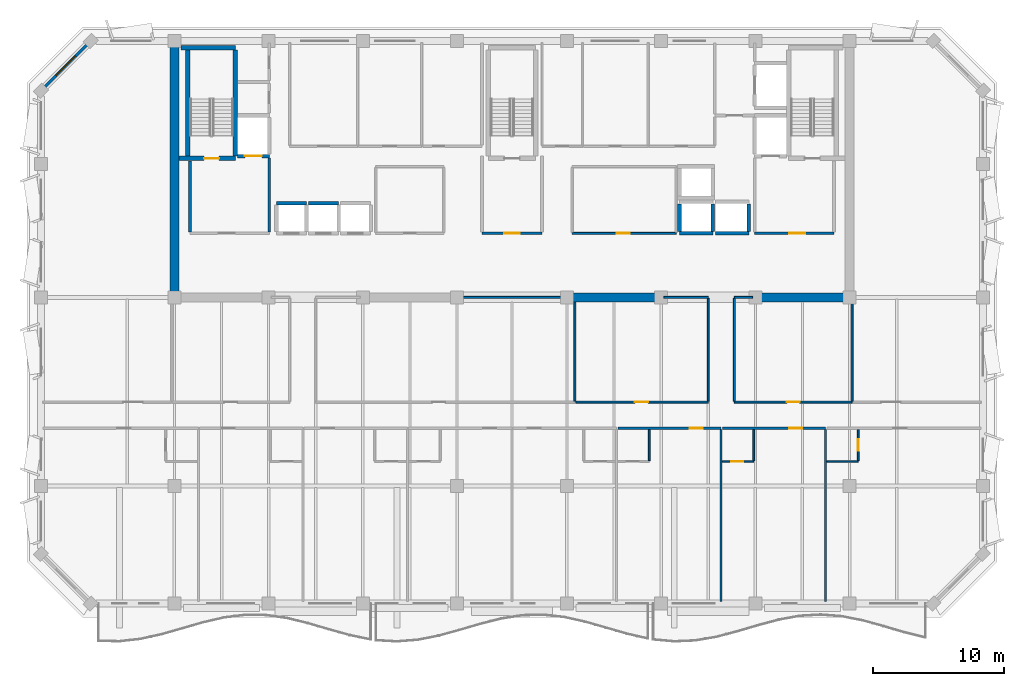
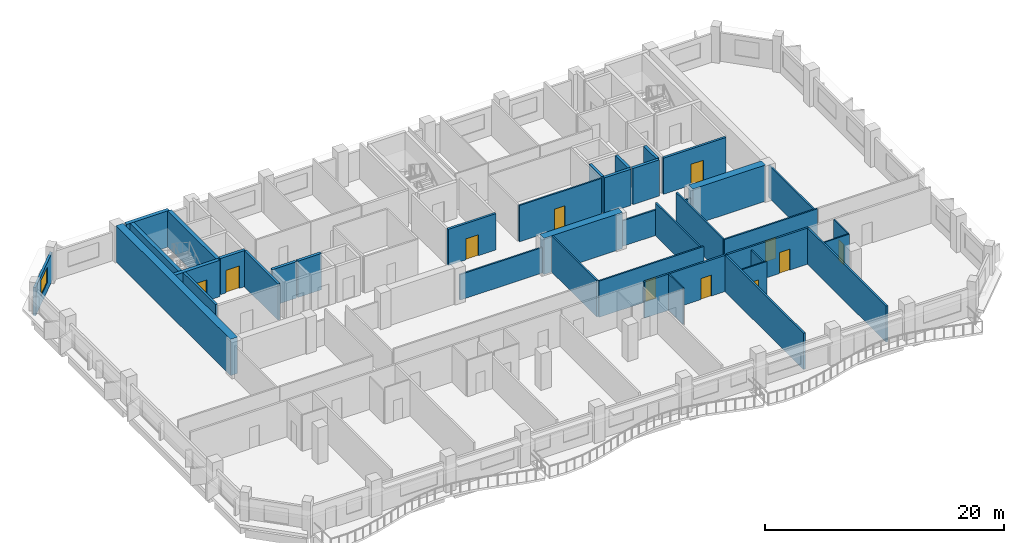
# One storey, part 5 of 11: 39 walls, 11 doors, 1 window, 12 openings.
"""IFC4 building model written with IfcOpenShell, lengths in metres."""

from ifc_helpers import new_model, si_unit, direction, frame, frame_2d, origin, place, context, subcontext, project, spatial, rectangle, extrude, material, layer, layer_set, type_object, element, fill, save


model = new_model("IFC4")

# Units and contexts
model_context = context("Model", 3, precision=1e-05, world=origin(), true_north=direction((0.0, 1.0)))
body_context = subcontext(model_context, "Body", "Model", "MODEL_VIEW")
ifc_project = project(units=[si_unit("LENGTHUNIT", "METRE"), si_unit("AREAUNIT", "SQUARE_METRE"), si_unit("VOLUMEUNIT", "CUBIC_METRE"), si_unit("PLANEANGLEUNIT", "RADIAN"), si_unit("MASSUNIT", "GRAM", prefix="KILO")], contexts=[model_context])

# Site, building, storey
site_placement = place(None, origin())
site = spatial("IfcSite", under=ifc_project, at=site_placement, CompositionType="ELEMENT")
building_placement = place(site_placement, origin())
building = spatial("IfcBuilding", under=site, at=building_placement, Name="Kaelvorn Grand Hotel", CompositionType="ELEMENT")
storey_placement = place(building_placement, frame((0.0, 0.0, 244.949951171875)))
storey = spatial("IfcBuildingStorey", under=building, at=storey_placement, Name="L60", CompositionType="ELEMENT", Elevation=244.949951171875)

# Walls
ifc_material_1 = material(Name="Concrete C50/60", Category="concrete")
ifc_layer_1 = layer(ifc_material_1, 0.699951171875)
ifc_layer_set_1 = layer_set([ifc_layer_1], Name="Concrete C50/60")
wall_type_1 = type_object("IfcWallType", Name="WL-CORE-700-C50", PredefinedType="SHEAR", material=ifc_layer_set_1)
wall_1_placement = place(storey_placement, frame((16.199951171875, 29.39990234375, 0.0), z_axis=(0.0, 0.0, 1.0), x_axis=(0.0, 1.0, 0.0)))
element("IfcWall", 1, at=wall_1_placement, inside=storey, type_object=wall_type_1, Name="L60 Rear-Core West Shear Wall", PredefinedType="SHEAR", context=body_context, shape_type="SweptSolid", body=[
    extrude(rectangle(XDim=19.2001953125, YDim=0.699951171875, at=frame_2d((9.60009765625, 0.0))), origin(), (0.0, 0.0, 1.0), 3.7099609375),
])
wall_2_placement = place(storey_placement, frame((46.0, 29.39990234375, 0.0), z_axis=(0.0, 0.0, 1.0), x_axis=(1.0, 0.0, 0.0)))
element("IfcWall", 2, at=wall_2_placement, inside=storey, type_object=wall_type_1, Name="L60 Rear-Core Coupled Shear Pier S3", PredefinedType="SHEAR", context=body_context, shape_type="SweptSolid", body=[
    extrude(rectangle(XDim=7.60009765625, YDim=0.699951171875, at=frame_2d((3.800048828125, 0.0))), origin(), (0.0, 0.0, 1.0), 3.7099609375),
])
wall_3_placement = place(storey_placement, frame((60.39990234375, 29.39990234375, 0.0), z_axis=(0.0, 0.0, 1.0), x_axis=(1.0, 0.0, 0.0)))
element("IfcWall", 3, at=wall_3_placement, inside=storey, type_object=wall_type_1, Name="L60 Rear-Core Coupled Shear Pier S4", PredefinedType="SHEAR", context=body_context, shape_type="SweptSolid", body=[
    extrude(rectangle(XDim=7.045166015625, YDim=0.699951171875, at=frame_2d((3.5224609375, 0.0))), origin(), (0.0, 0.0, 1.0), 3.7099609375),
])

# Wall, opening, window
ifc_material_2 = material(Name="Concrete C40/50", Category="concrete")
ifc_layer_2 = layer(ifc_material_2, 0.219970703125)
ifc_layer_set_2 = layer_set([ifc_layer_2], Name="Concrete C40/50")
wall_type_2 = type_object("IfcWallType", Name="WL-EXT-220-C40", PredefinedType="SOLIDWALL", material=ifc_layer_set_2)
wall_4_placement = place(storey_placement, frame((9.800048828125, 49.0, 0.0), z_axis=(0.0, 0.0, 1.0), x_axis=(-0.707106781187, -0.707106781187, 0.0)))
wall_4 = element("IfcWall", 4, at=wall_4_placement, inside=storey, type_object=wall_type_2, Name="L60 Exterior Architectural Concrete Wall 06", PredefinedType="SOLIDWALL", context=body_context, shape_type="SweptSolid", body=[
    extrude(rectangle(XDim=5.3740234375, YDim=0.219970703125, at=frame_2d((2.68701171875, 0.0))), origin(), (0.0, 0.0, 1.0), 2.91015625),
])
opening_1_placement = place(wall_4_placement, frame((1.636962890625, 0.0, 0.85009765625)))
opening_1 = element("IfcOpeningElement", 5, at=opening_1_placement, cuts=wall_4, Name="Opening W7", PredefinedType="OPENING", context=body_context, shape_type="SweptSolid", body=[
    extrude(rectangle(XDim=2.10009765625, YDim=1.60009765625, at=frame_2d((1.050048828125, 0.800048828125))), frame((0.0, 0.1201171875, 0.0), z_axis=(0.0, -1.0, 0.0), x_axis=(1.0, 0.0, 0.0)), (0.0, 0.0, 1.0), 0.239990234375),
])
ifc_material_3 = material(Name="Laminated Low-E Glass", Category="glass")
window_type = type_object("IfcWindowType", Name="WIN-CHM-2100x1600", PartitioningType="SINGLE_PANEL", PredefinedType="WINDOW", material=ifc_material_3)
window_placement = place(opening_1_placement, origin())
window = element("IfcWindow", 6, at=window_placement, inside=storey, type_object=window_type, Name="L60 Chamfered 45-Degree Corner Window NW", OverallHeight=1.60009765625, OverallWidth=2.10009765625, PartitioningType="SINGLE_PANEL", PredefinedType="WINDOW", context=body_context, shape_type="SweptSolid", body=[
    extrude(rectangle(XDim=2.10009765625, YDim=1.60009765625, at=frame_2d((1.050048828125, 0.800048828125))), frame((0.0, 0.030029296875, 0.0), z_axis=(0.0, -1.0, 0.0), x_axis=(1.0, 0.0, 0.0)), (0.0, 0.0, 1.0), 0.06005859375),
])
fill(opening_1, window)

# Wall
ifc_material_4 = material(Name="Moisture-Resistant Tile & Stud Board")
ifc_layer_3 = layer(ifc_material_4, 0.125)
ifc_layer_set_3 = layer_set([ifc_layer_3], Name="Moisture-Resistant Tile & Stud Board")
wall_type_3 = type_object("IfcWallType", Name="WL-PART-125-WET", PredefinedType="PARTITIONING", material=ifc_layer_set_3)
wall_5_placement = place(storey_placement, frame((52.487548828125, 16.91748046875, 0.0), z_axis=(0.0, 0.0, 1.0), x_axis=(0.0, 1.0, 0.0)))
element("IfcWall", 7, at=wall_5_placement, inside=storey, type_object=wall_type_3, Name="L60 En-suite Bathroom L60-06 E Partition", PredefinedType="PARTITIONING", context=body_context, shape_type="SweptSolid", body=[
    extrude(rectangle(XDim=2.387451171875, YDim=0.125, at=frame_2d((1.19384765625, 0.0))), origin(), (0.0, 0.0, 1.0), 3.7099609375),
])

# Wall, opening, door
wall_6_placement = place(storey_placement, frame((58.070068359375, 16.85009765625, 0.0), z_axis=(0.0, 0.0, 1.0), x_axis=(1.0, 0.0, 0.0)))
wall_6 = element("IfcWall", 8, at=wall_6_placement, inside=storey, type_object=wall_type_3, Name="L60 En-suite Bathroom L60-07 S Partition", PredefinedType="PARTITIONING", context=body_context, shape_type="SweptSolid", body=[
    extrude(rectangle(XDim=2.405029296875, YDim=0.125, at=frame_2d((1.20263671875, 0.0))), origin(), (0.0, 0.0, 1.0), 3.7099609375),
])
opening_2_placement = place(wall_6_placement, frame((0.705078125, 0.0, 0.0)))
opening_2 = element("IfcOpeningElement", 9, at=opening_2_placement, cuts=wall_6, Name="Opening DI4", PredefinedType="OPENING", context=body_context, shape_type="SweptSolid", body=[
    extrude(rectangle(XDim=0.89990234375, YDim=2.10009765625, at=frame_2d((0.449951171875, 1.050048828125))), frame((0.0, 0.072509765625, 0.0), z_axis=(0.0, -1.0, 0.0), x_axis=(1.0, 0.0, 0.0)), (0.0, 0.0, 1.0), 0.14501953125),
])
ifc_material_5 = material(Name="Timber Veneer Leaf", Category="wood")
door_type_1 = type_object("IfcDoorType", Name="DR-INT-BATH-900x2100", OperationType="NOTDEFINED", PredefinedType="DOOR", material=ifc_material_5)
door_1_placement = place(opening_2_placement, origin())
door_1 = element("IfcDoor", 10, at=door_1_placement, inside=storey, type_object=door_type_1, Name="L60 En-suite Bathroom L60-07 Door", OperationType="SINGLE_SWING_RIGHT", OverallHeight=2.10009765625, OverallWidth=0.89990234375, PredefinedType="DOOR", context=body_context, shape_type="SweptSolid", body=[
    extrude(rectangle(XDim=0.89990234375, YDim=2.10009765625, at=frame_2d((0.449951171875, 1.050048828125))), frame((0.0, 0.02490234375, 0.0), z_axis=(0.0, -1.0, 0.0), x_axis=(1.0, 0.0, 0.0)), (0.0, 0.0, 1.0), 0.050048828125),
])
fill(opening_2, door_1)

# Walls
wall_7_placement = place(storey_placement, frame((60.47509765625, 16.91748046875, 0.0), z_axis=(0.0, 0.0, 1.0), x_axis=(0.0, 1.0, 0.0)))
element("IfcWall", 11, at=wall_7_placement, inside=storey, type_object=wall_type_3, Name="L60 En-suite Bathroom L60-07 E Partition", PredefinedType="PARTITIONING", context=body_context, shape_type="SweptSolid", body=[
    extrude(rectangle(XDim=2.387451171875, YDim=0.125, at=frame_2d((1.19384765625, 0.0))), origin(), (0.0, 0.0, 1.0), 3.35009765625),
])
wall_8_placement = place(storey_placement, frame((66.0576171875, 16.85009765625, 0.0), z_axis=(0.0, 0.0, 1.0), x_axis=(1.0, 0.0, 0.0)))
element("IfcWall", 12, at=wall_8_placement, inside=storey, type_object=wall_type_3, Name="L60 En-suite Bathroom L60-08 S Partition", PredefinedType="PARTITIONING", context=body_context, shape_type="SweptSolid", body=[
    extrude(rectangle(XDim=2.40478515625, YDim=0.125, at=frame_2d((1.202392578125, 0.0))), origin(), (0.0, 0.0, 1.0), 3.7099609375),
])

# Wall, opening, door
wall_9_placement = place(storey_placement, frame((68.46240234375, 16.91748046875, 0.0), z_axis=(0.0, 0.0, 1.0), x_axis=(0.0, 1.0, 0.0)))
wall_9 = element("IfcWall", 13, at=wall_9_placement, inside=storey, type_object=wall_type_3, Name="L60 En-suite Bathroom L60-08 E Partition", PredefinedType="PARTITIONING", context=body_context, shape_type="SweptSolid", body=[
    extrude(rectangle(XDim=2.387451171875, YDim=0.125, at=frame_2d((1.19384765625, 0.0))), origin(), (0.0, 0.0, 1.0), 3.7099609375),
])
opening_3_placement = place(wall_9_placement, frame((0.757568359375, 0.0, 0.0)))
opening_3 = element("IfcOpeningElement", 14, at=opening_3_placement, cuts=wall_9, Name="Opening DI4", PredefinedType="OPENING", context=body_context, shape_type="SweptSolid", body=[
    extrude(rectangle(XDim=0.89990234375, YDim=2.10009765625, at=frame_2d((0.449951171875, 1.050048828125))), frame((0.0, 0.072509765625, 0.0), z_axis=(0.0, -1.0, 0.0), x_axis=(1.0, 0.0, 0.0)), (0.0, 0.0, 1.0), 0.14501953125),
])
door_2_placement = place(opening_3_placement, origin())
door_2 = element("IfcDoor", 15, at=door_2_placement, inside=storey, type_object=door_type_1, Name="L60 En-suite Bathroom L60-08 Door", OperationType="SINGLE_SWING_RIGHT", OverallHeight=2.10009765625, OverallWidth=0.89990234375, PredefinedType="DOOR", context=body_context, shape_type="SweptSolid", body=[
    extrude(rectangle(XDim=0.89990234375, YDim=2.10009765625, at=frame_2d((0.449951171875, 1.050048828125))), frame((0.0, 0.02490234375, 0.0), z_axis=(0.0, -1.0, 0.0), x_axis=(1.0, 0.0, 0.0)), (0.0, 0.0, 1.0), 0.050048828125),
])
fill(opening_3, door_2)

ifc_material_6 = material(Name="Acoustic Gypsum & Stud Partition")
ifc_layer_4 = layer(ifc_material_6, 0.14990234375)
ifc_layer_set_4 = layer_set([ifc_layer_4], Name="Acoustic Gypsum & Stud Partition")
wall_type_4 = type_object("IfcWallType", Name="WL-PART-150-EI60", PredefinedType="PARTITIONING", material=ifc_layer_set_4)
wall_10_placement = place(storey_placement, frame((46.60009765625, 34.300048828125, 0.0), z_axis=(0.0, 0.0, 1.0), x_axis=(1.0, 0.0, 0.0)))
wall_10 = element("IfcWall", 16, at=wall_10_placement, inside=storey, type_object=wall_type_4, Name="L60 Sky Concierge & Butler Pantry Lounge S Partition", PredefinedType="PARTITIONING", context=body_context, shape_type="SweptSolid", body=[
    extrude(rectangle(XDim=7.949951171875, YDim=0.14990234375, at=frame_2d((3.97509765625, 0.0))), origin(), (0.0, 0.0, 1.0), 3.7099609375),
])
opening_4_placement = place(wall_10_placement, frame((3.39990234375, 0.0, 0.0)))
opening_4 = element("IfcOpeningElement", 17, at=opening_4_placement, cuts=wall_10, Name="Opening DI3", PredefinedType="OPENING", context=body_context, shape_type="SweptSolid", body=[
    extrude(rectangle(XDim=1.0, YDim=2.14990234375, at=frame_2d((0.5, 1.074951171875))), frame((0.0, 0.0849609375, 0.0), z_axis=(0.0, -1.0, 0.0), x_axis=(1.0, 0.0, 0.0)), (0.0, 0.0, 1.0), 0.169921875),
])
ifc_material_7 = material(Name="Timber Veneer Fire Leaf", Category="wood")
door_type_2 = type_object("IfcDoorType", Name="DR-INT-GUEST-1000x2150", OperationType="NOTDEFINED", PredefinedType="DOOR", material=ifc_material_7)
door_3_placement = place(opening_4_placement, origin())
door_3 = element("IfcDoor", 18, at=door_3_placement, inside=storey, type_object=door_type_2, Name="L60 Sky Concierge & Butler Pantry Lounge Door", OperationType="SINGLE_SWING_RIGHT", OverallHeight=2.14990234375, OverallWidth=1.0, PredefinedType="DOOR", context=body_context, shape_type="SweptSolid", body=[
    extrude(rectangle(XDim=1.0, YDim=2.14990234375, at=frame_2d((0.5, 1.074951171875))), frame((0.0, 0.02490234375, 0.0), z_axis=(0.0, -1.0, 0.0), x_axis=(1.0, 0.0, 0.0)), (0.0, 0.0, 1.0), 0.050048828125),
])
fill(opening_4, door_3)

# Walls
wall_11_placement = place(storey_placement, frame((38.010009765625, 29.39990234375, 0.0), z_axis=(0.0, 0.0, 1.0), x_axis=(1.0, 0.0, 0.0)))
element("IfcWall", 19, at=wall_11_placement, inside=storey, type_object=wall_type_4, Name="L60 Hospitality Tea Kitchen N Partition (2)", PredefinedType="PARTITIONING", context=body_context, shape_type="SweptSolid", body=[
    extrude(rectangle(XDim=7.97998046875, YDim=0.14990234375, at=frame_2d((3.989990234375, 0.0))), origin(), (0.0, 0.0, 1.0), 2.610107421875),
])
wall_12_placement = place(storey_placement, frame((46.800048828125, 21.47998046875, 0.0), z_axis=(0.0, 0.0, 1.0), x_axis=(0.0, 1.0, 0.0)))
element("IfcWall", 20, at=wall_12_placement, inside=storey, type_object=wall_type_4, Name="L60 Hospitality Tea Kitchen E Partition", PredefinedType="PARTITIONING", context=body_context, shape_type="SweptSolid", body=[
    extrude(rectangle(XDim=7.56494140625, YDim=0.14990234375, at=frame_2d((3.782470703125, 0.0))), origin(), (0.0, 0.0, 1.0), 3.7099609375),
])

# Wall, opening, door
wall_13_placement = place(storey_placement, frame((46.8798828125, 21.39990234375, 0.0), z_axis=(0.0, 0.0, 1.0), x_axis=(1.0, 0.0, 0.0)))
wall_13 = element("IfcWall", 21, at=wall_13_placement, inside=storey, type_object=wall_type_4, Name="L60 Executive Study Office S Partition", PredefinedType="PARTITIONING", context=body_context, shape_type="SweptSolid", body=[
    extrude(rectangle(XDim=10.1201171875, YDim=0.14990234375, at=frame_2d((5.06005859375, 0.0))), origin(), (0.0, 0.0, 1.0), 3.7099609375),
])
opening_5_placement = place(wall_13_placement, frame((4.52001953125, 0.0, 0.0)))
opening_5 = element("IfcOpeningElement", 22, at=opening_5_placement, cuts=wall_13, Name="Opening DI3", PredefinedType="OPENING", context=body_context, shape_type="SweptSolid", body=[
    extrude(rectangle(XDim=1.0, YDim=2.14990234375, at=frame_2d((0.5, 1.074951171875))), frame((0.0, 0.0849609375, 0.0), z_axis=(0.0, -1.0, 0.0), x_axis=(1.0, 0.0, 0.0)), (0.0, 0.0, 1.0), 0.169921875),
])
door_4_placement = place(opening_5_placement, origin())
door_4 = element("IfcDoor", 23, at=door_4_placement, inside=storey, type_object=door_type_2, Name="L60 Executive Study Office Door", OperationType="SINGLE_SWING_LEFT", OverallHeight=2.14990234375, OverallWidth=1.0, PredefinedType="DOOR", context=body_context, shape_type="SweptSolid", body=[
    extrude(rectangle(XDim=1.0, YDim=2.14990234375, at=frame_2d((0.5, 1.074951171875))), frame((0.0, 0.02490234375, 0.0), z_axis=(0.0, -1.0, 0.0), x_axis=(1.0, 0.0, 0.0)), (0.0, 0.0, 1.0), 0.050048828125),
])
fill(opening_5, door_4)

# Walls
wall_14_placement = place(storey_placement, frame((53.610107421875, 29.39990234375, 0.0), z_axis=(0.0, 0.0, 1.0), x_axis=(1.0, 0.0, 0.0)))
element("IfcWall", 24, at=wall_14_placement, inside=storey, type_object=wall_type_4, Name="L60 Executive Study Office N Partition", PredefinedType="PARTITIONING", context=body_context, shape_type="SweptSolid", body=[
    extrude(rectangle(XDim=3.389892578125, YDim=0.14990234375, at=frame_2d((1.69482421875, 0.0))), origin(), (0.0, 0.0, 1.0), 2.610107421875),
])
wall_15_placement = place(storey_placement, frame((57.0, 21.47998046875, 0.0), z_axis=(0.0, 0.0, 1.0), x_axis=(0.0, 1.0, 0.0)))
element("IfcWall", 25, at=wall_15_placement, inside=storey, type_object=wall_type_4, Name="L60 Executive Study Office E Partition", PredefinedType="PARTITIONING", context=body_context, shape_type="SweptSolid", body=[
    extrude(rectangle(XDim=7.840087890625, YDim=0.14990234375, at=frame_2d((3.919921875, 0.0))), origin(), (0.0, 0.0, 1.0), 3.35009765625),
])

# Wall, opening, door
wall_16_placement = place(storey_placement, frame((59.0, 21.39990234375, 0.0), z_axis=(0.0, 0.0, 1.0), x_axis=(1.0, 0.0, 0.0)))
wall_16 = element("IfcWall", 26, at=wall_16_placement, inside=storey, type_object=wall_type_4, Name="L60 Wellness Fitness Gym S Partition", PredefinedType="PARTITIONING", context=body_context, shape_type="SweptSolid", body=[
    extrude(rectangle(XDim=9.0, YDim=0.14990234375, at=frame_2d((4.5, 0.0))), origin(), (0.0, 0.0, 1.0), 3.7099609375),
])
opening_6_placement = place(wall_16_placement, frame((4.0, 0.0, 0.0)))
opening_6 = element("IfcOpeningElement", 27, at=opening_6_placement, cuts=wall_16, Name="Opening DI3", PredefinedType="OPENING", context=body_context, shape_type="SweptSolid", body=[
    extrude(rectangle(XDim=1.0, YDim=2.14990234375, at=frame_2d((0.5, 1.074951171875))), frame((0.0, 0.0849609375, 0.0), z_axis=(0.0, -1.0, 0.0), x_axis=(1.0, 0.0, 0.0)), (0.0, 0.0, 1.0), 0.169921875),
])
door_5_placement = place(opening_6_placement, origin())
door_5 = element("IfcDoor", 28, at=door_5_placement, inside=storey, type_object=door_type_2, Name="L60 Wellness Fitness Gym Door", OperationType="SINGLE_SWING_RIGHT", OverallHeight=2.14990234375, OverallWidth=1.0, PredefinedType="DOOR", context=body_context, shape_type="SweptSolid", body=[
    extrude(rectangle(XDim=1.0, YDim=2.14990234375, at=frame_2d((0.5, 1.074951171875))), frame((0.0, 0.02490234375, 0.0), z_axis=(0.0, -1.0, 0.0), x_axis=(1.0, 0.0, 0.0)), (0.0, 0.0, 1.0), 0.050048828125),
])
fill(opening_6, door_5)

# Walls
wall_17_placement = place(storey_placement, frame((59.0, 29.39990234375, 0.0), z_axis=(0.0, 0.0, 1.0), x_axis=(1.0, 0.0, 0.0)))
element("IfcWall", 29, at=wall_17_placement, inside=storey, type_object=wall_type_4, Name="L60 Wellness Fitness Gym N Partition", PredefinedType="PARTITIONING", context=body_context, shape_type="SweptSolid", body=[
    extrude(rectangle(XDim=1.389892578125, YDim=0.14990234375, at=frame_2d((0.69482421875, 0.0))), origin(), (0.0, 0.0, 1.0), 2.610107421875),
])
wall_18_placement = place(storey_placement, frame((59.0, 21.47998046875, 0.0), z_axis=(0.0, 0.0, 1.0), x_axis=(0.0, 1.0, 0.0)))
element("IfcWall", 30, at=wall_18_placement, inside=storey, type_object=wall_type_4, Name="L60 Wellness Fitness Gym W Partition", PredefinedType="PARTITIONING", context=body_context, shape_type="SweptSolid", body=[
    extrude(rectangle(XDim=7.840087890625, YDim=0.14990234375, at=frame_2d((3.919921875, 0.0))), origin(), (0.0, 0.0, 1.0), 3.7099609375),
])
wall_19_placement = place(storey_placement, frame((68.0, 21.47998046875, 0.0), z_axis=(0.0, 0.0, 1.0), x_axis=(0.0, 1.0, 0.0)))
element("IfcWall", 31, at=wall_19_placement, inside=storey, type_object=wall_type_4, Name="L60 Wellness Fitness Gym E Partition", PredefinedType="PARTITIONING", context=body_context, shape_type="SweptSolid", body=[
    extrude(rectangle(XDim=7.909912109375, YDim=0.14990234375, at=frame_2d((3.955078125, 0.0))), origin(), (0.0, 0.0, 1.0), 3.35009765625),
])

# Wall, opening, door
ifc_layer_5 = layer(ifc_material_6, 0.179931640625)
ifc_layer_set_5 = layer_set([ifc_layer_5], Name="Acoustic Gypsum & Stud Partition")
wall_type_5 = type_object("IfcWallType", Name="WL-PART-180-EI60", PredefinedType="PARTITIONING", material=ifc_layer_set_5)
wall_20_placement = place(storey_placement, frame((50.08251953125, 19.39990234375, 0.0), z_axis=(0.0, 0.0, 1.0), x_axis=(1.0, 0.0, 0.0)))
wall_20 = element("IfcWall", 32, at=wall_20_placement, inside=storey, type_object=wall_type_5, Name="L60 Ambassador Junior Suite L60-06 N Partition", PredefinedType="PARTITIONING", context=body_context, shape_type="SweptSolid", body=[
    extrude(rectangle(XDim=7.892578125, YDim=0.179931640625, at=frame_2d((3.9462890625, 0.0))), origin(), (0.0, 0.0, 1.0), 3.7099609375),
])
opening_7_placement = place(wall_20_placement, frame((5.4951171875, 0.0, 0.0)))
opening_7 = element("IfcOpeningElement", 33, at=opening_7_placement, cuts=wall_20, Name="Opening DI3", PredefinedType="OPENING", context=body_context, shape_type="SweptSolid", body=[
    extrude(rectangle(XDim=1.0, YDim=2.14990234375, at=frame_2d((0.5, 1.074951171875))), frame((0.0, 0.10009765625, 0.0), z_axis=(0.0, -1.0, 0.0), x_axis=(1.0, 0.0, 0.0)), (0.0, 0.0, 1.0), 0.199951171875),
])
door_6_placement = place(opening_7_placement, origin())
door_6 = element("IfcDoor", 34, at=door_6_placement, inside=storey, type_object=door_type_2, Name="L60 Ambassador Junior Suite L60-06 Door", OperationType="SINGLE_SWING_LEFT", OverallHeight=2.14990234375, OverallWidth=1.0, PredefinedType="DOOR", context=body_context, shape_type="SweptSolid", body=[
    extrude(rectangle(XDim=1.0, YDim=2.14990234375, at=frame_2d((0.5, 1.074951171875))), frame((0.0, 0.02490234375, 0.0), z_axis=(0.0, -1.0, 0.0), x_axis=(1.0, 0.0, 0.0)), (0.0, 0.0, 1.0), 0.050048828125),
])
fill(opening_7, door_6)

# Wall
wall_21_placement = place(storey_placement, frame((57.97509765625, 6.14990234375, 0.0), z_axis=(0.0, 0.0, 1.0), x_axis=(0.0, 1.0, 0.0)))
element("IfcWall", 35, at=wall_21_placement, inside=storey, type_object=wall_type_5, Name="L60 Ambassador Junior Suite L60-06 E Partition", PredefinedType="PARTITIONING", context=body_context, shape_type="SweptSolid", body=[
    extrude(rectangle(XDim=13.155029296875, YDim=0.179931640625, at=frame_2d((6.57763671875, 0.0))), origin(), (0.0, 0.0, 1.0), 3.7099609375),
])

# Wall, opening, door
wall_22_placement = place(storey_placement, frame((58.070068359375, 19.39990234375, 0.0), z_axis=(0.0, 0.0, 1.0), x_axis=(1.0, 0.0, 0.0)))
wall_22 = element("IfcWall", 36, at=wall_22_placement, inside=storey, type_object=wall_type_5, Name="L60 Ambassador Sky Suite L60-07 N Partition", PredefinedType="PARTITIONING", context=body_context, shape_type="SweptSolid", body=[
    extrude(rectangle(XDim=7.892333984375, YDim=0.179931640625, at=frame_2d((3.9462890625, 0.0))), origin(), (0.0, 0.0, 1.0), 3.7099609375),
])
opening_8_placement = place(wall_22_placement, frame((5.101318359375, 0.0, 0.0)))
opening_8 = element("IfcOpeningElement", 37, at=opening_8_placement, cuts=wall_22, Name="Opening DI3", PredefinedType="OPENING", context=body_context, shape_type="SweptSolid", body=[
    extrude(rectangle(XDim=1.0, YDim=2.14990234375, at=frame_2d((0.5, 1.074951171875))), frame((0.0, 0.10009765625, 0.0), z_axis=(0.0, -1.0, 0.0), x_axis=(1.0, 0.0, 0.0)), (0.0, 0.0, 1.0), 0.199951171875),
])
door_7_placement = place(opening_8_placement, origin())
door_7 = element("IfcDoor", 38, at=door_7_placement, inside=storey, type_object=door_type_2, Name="L60 Ambassador Sky Suite L60-07 Door", OperationType="SINGLE_SWING_LEFT", OverallHeight=2.14990234375, OverallWidth=1.0, PredefinedType="DOOR", context=body_context, shape_type="SweptSolid", body=[
    extrude(rectangle(XDim=1.0, YDim=2.14990234375, at=frame_2d((0.5, 1.074951171875))), frame((0.0, 0.02490234375, 0.0), z_axis=(0.0, -1.0, 0.0), x_axis=(1.0, 0.0, 0.0)), (0.0, 0.0, 1.0), 0.050048828125),
])
fill(opening_8, door_7)

# Walls
wall_23_placement = place(storey_placement, frame((65.96240234375, 6.14990234375, 0.0), z_axis=(0.0, 0.0, 1.0), x_axis=(0.0, 1.0, 0.0)))
element("IfcWall", 39, at=wall_23_placement, inside=storey, type_object=wall_type_5, Name="L60 Ambassador Sky Suite L60-07 E Partition", PredefinedType="PARTITIONING", context=body_context, shape_type="SweptSolid", body=[
    extrude(rectangle(XDim=13.155029296875, YDim=0.179931640625, at=frame_2d((6.57763671875, 0.0))), origin(), (0.0, 0.0, 1.0), 3.7099609375),
])
ifc_layer_6 = layer(ifc_material_2, 0.219970703125)
ifc_layer_set_6 = layer_set([ifc_layer_6], Name="Concrete C40/50")
wall_type_6 = type_object("IfcWallType", Name="WL-PART-220-EI120", PredefinedType="PARTITIONING", material=ifc_layer_set_6)
wall_24_placement = place(storey_placement, frame((17.39990234375, 34.4150390625, 0.0), z_axis=(0.0, 0.0, 1.0), x_axis=(0.0, 1.0, 0.0)))
element("IfcWall", 40, at=wall_24_placement, inside=storey, type_object=wall_type_6, Name="L60 Firefighting Lift Lobby 1 W Partition", PredefinedType="PARTITIONING", context=body_context, shape_type="SweptSolid", body=[
    extrude(rectangle(XDim=5.429931640625, YDim=0.219970703125, at=frame_2d((2.71484375, 0.0))), origin(), (0.0, 0.0, 1.0), 3.7099609375),
])
wall_25_placement = place(storey_placement, frame((23.449951171875, 34.4150390625, 0.0), z_axis=(0.0, 0.0, 1.0), x_axis=(0.0, 1.0, 0.0)))
element("IfcWall", 41, at=wall_25_placement, inside=storey, type_object=wall_type_6, Name="L60 Firefighting Lift Lobby 1 E Partition", PredefinedType="PARTITIONING", context=body_context, shape_type="SweptSolid", body=[
    extrude(rectangle(XDim=5.639892578125, YDim=0.219970703125, at=frame_2d((2.81982421875, 0.0))), origin(), (0.0, 0.0, 1.0), 3.7099609375),
])

# Wall, opening, door
wall_26_placement = place(storey_placement, frame((60.550048828125, 34.300048828125, 0.0), z_axis=(0.0, 0.0, 1.0), x_axis=(1.0, 0.0, 0.0)))
wall_26 = element("IfcWall", 42, at=wall_26_placement, inside=storey, type_object=wall_type_6, Name="L60 Firefighting Lift Lobby 2 S Partition", PredefinedType="PARTITIONING", context=body_context, shape_type="SweptSolid", body=[
    extrude(rectangle(XDim=6.050048828125, YDim=0.219970703125, at=frame_2d((3.02490234375, 0.0))), origin(), (0.0, 0.0, 1.0), 3.7099609375),
])
opening_9_placement = place(wall_26_placement, frame((2.64990234375, 0.0, 0.0)))
opening_9 = element("IfcOpeningElement", 43, at=opening_9_placement, cuts=wall_26, Name="Opening DI2", PredefinedType="OPENING", context=body_context, shape_type="SweptSolid", body=[
    extrude(rectangle(XDim=1.199951171875, YDim=2.14990234375, at=frame_2d((0.60009765625, 1.074951171875))), frame((0.0, 0.1201171875, 0.0), z_axis=(0.0, -1.0, 0.0), x_axis=(1.0, 0.0, 0.0)), (0.0, 0.0, 1.0), 0.239990234375),
])
door_type_3 = type_object("IfcDoorType", Name="DR-INT-FFLOB-1200x2150", OperationType="NOTDEFINED", PredefinedType="DOOR", material=ifc_material_7)
door_8_placement = place(opening_9_placement, origin())
door_8 = element("IfcDoor", 44, at=door_8_placement, inside=storey, type_object=door_type_3, Name="L60 Firefighting Lift Lobby 2 Door", OperationType="SINGLE_SWING_RIGHT", OverallHeight=2.14990234375, OverallWidth=1.199951171875, PredefinedType="DOOR", context=body_context, shape_type="SweptSolid", body=[
    extrude(rectangle(XDim=1.199951171875, YDim=2.14990234375, at=frame_2d((0.60009765625, 1.074951171875))), frame((0.0, 0.02490234375, 0.0), z_axis=(0.0, -1.0, 0.0), x_axis=(1.0, 0.0, 0.0)), (0.0, 0.0, 1.0), 0.050048828125),
])
fill(opening_9, door_8)

wall_27_placement = place(storey_placement, frame((39.699951171875, 34.300048828125, 0.0), z_axis=(0.0, 0.0, 1.0), x_axis=(1.0, 0.0, 0.0)))
wall_27 = element("IfcWall", 45, at=wall_27_placement, inside=storey, type_object=wall_type_6, Name="L60 Central Stair Escape Vestibule S Partition", PredefinedType="PARTITIONING", context=body_context, shape_type="SweptSolid", body=[
    extrude(rectangle(XDim=4.60009765625, YDim=0.219970703125, at=frame_2d((2.300048828125, 0.0))), origin(), (0.0, 0.0, 1.0), 3.7099609375),
])
opening_10_placement = place(wall_27_placement, frame((1.699951171875, 0.0, 0.0)))
opening_10 = element("IfcOpeningElement", 46, at=opening_10_placement, cuts=wall_27, Name="Opening DI2", PredefinedType="OPENING", context=body_context, shape_type="SweptSolid", body=[
    extrude(rectangle(XDim=1.199951171875, YDim=2.14990234375, at=frame_2d((0.60009765625, 1.074951171875))), frame((0.0, 0.1201171875, 0.0), z_axis=(0.0, -1.0, 0.0), x_axis=(1.0, 0.0, 0.0)), (0.0, 0.0, 1.0), 0.239990234375),
])
door_9_placement = place(opening_10_placement, origin())
door_9 = element("IfcDoor", 47, at=door_9_placement, inside=storey, type_object=door_type_3, Name="L60 Central Stair Escape Vestibule Door", OperationType="SINGLE_SWING_LEFT", OverallHeight=2.14990234375, OverallWidth=1.199951171875, PredefinedType="DOOR", context=body_context, shape_type="SweptSolid", body=[
    extrude(rectangle(XDim=1.199951171875, YDim=2.14990234375, at=frame_2d((0.60009765625, 1.074951171875))), frame((0.0, 0.02490234375, 0.0), z_axis=(0.0, -1.0, 0.0), x_axis=(1.0, 0.0, 0.0)), (0.0, 0.0, 1.0), 0.050048828125),
])
fill(opening_10, door_9)

# Walls
ifc_layer_7 = layer(ifc_material_1, 0.280029296875)
ifc_layer_set_7 = layer_set([ifc_layer_7], Name="Concrete C50/60")
wall_type_7 = type_object("IfcWallType", Name="WL-SHAFT-280-C50", PredefinedType="SHEAR", material=ifc_layer_set_7)
for number, where, z_axis, x_axis, name in (
    (48, (24.0, 36.60009765625, 0.0), (0.0, 0.0, 1.0), (1.0, 0.0, 0.0), "L60 Lift PL-H1 Shaft North Wall"),
    (49, (26.449951171875, 36.60009765625, 0.0), (0.0, 0.0, 1.0), (1.0, 0.0, 0.0), "L60 Lift PL-H2 Shaft North Wall"),
):
    element("IfcWall", number, at=place(storey_placement, frame(where, z_axis=z_axis, x_axis=x_axis)), inside=storey, type_object=wall_type_7, Name=name, PredefinedType="SHEAR", context=body_context, shape_type="SweptSolid", body=[
        extrude(rectangle(XDim=2.300048828125, YDim=0.280029296875, at=frame_2d((1.14990234375, 0.0))), origin(), (0.0, 0.0, 1.0), 3.7099609375),
    ])
wall_28_placement = place(storey_placement, frame((54.800048828125, 34.300048828125, 0.0), z_axis=(0.0, 0.0, 1.0), x_axis=(1.0, 0.0, 0.0)))
element("IfcWall", 50, at=wall_28_placement, inside=storey, type_object=wall_type_7, Name="L60 Lift OL-1 Shaft South Wall", PredefinedType="SHEAR", context=body_context, shape_type="SweptSolid", body=[
    extrude(rectangle(XDim=2.550048828125, YDim=0.280029296875, at=frame_2d((1.27490234375, 0.0))), origin(), (0.0, 0.0, 1.0), 3.7099609375),
])
for number, where, z_axis, x_axis, name in (
    (51, (54.800048828125, 34.445068359375, 0.0), (0.0, 0.0, 1.0), (0.0, 1.0, 0.0), "L60 Lift OL-1 Shaft West Wall"),
    (52, (57.35009765625, 34.445068359375, 0.0), (0.0, 0.0, 1.0), (0.0, 1.0, 0.0), "L60 Lift OL-1 Shaft East Wall"),
):
    element("IfcWall", number, at=place(storey_placement, frame(where, z_axis=z_axis, x_axis=x_axis)), inside=storey, type_object=wall_type_7, Name=name, PredefinedType="SHEAR", context=body_context, shape_type="SweptSolid", body=[
        extrude(rectangle(XDim=2.10986328125, YDim=0.280029296875, at=frame_2d((1.054931640625, 0.0))), origin(), (0.0, 0.0, 1.0), 3.7099609375),
    ])
wall_29_placement = place(storey_placement, frame((57.550048828125, 34.300048828125, 0.0), z_axis=(0.0, 0.0, 1.0), x_axis=(1.0, 0.0, 0.0)))
element("IfcWall", 53, at=wall_29_placement, inside=storey, type_object=wall_type_7, Name="L60 Lift OL-2 Shaft South Wall", PredefinedType="SHEAR", context=body_context, shape_type="SweptSolid", body=[
    extrude(rectangle(XDim=2.550048828125, YDim=0.280029296875, at=frame_2d((1.27490234375, 0.0))), origin(), (0.0, 0.0, 1.0), 3.7099609375),
])
wall_30_placement = place(storey_placement, frame((60.10009765625, 34.445068359375, 0.0), z_axis=(0.0, 0.0, 1.0), x_axis=(0.0, 1.0, 0.0)))
element("IfcWall", 54, at=wall_30_placement, inside=storey, type_object=wall_type_7, Name="L60 Lift OL-2 Shaft East Wall", PredefinedType="SHEAR", context=body_context, shape_type="SweptSolid", body=[
    extrude(rectangle(XDim=2.10986328125, YDim=0.280029296875, at=frame_2d((1.054931640625, 0.0))), origin(), (0.0, 0.0, 1.0), 3.7099609375),
])

# Wall, opening, door
wall_31_placement = place(storey_placement, frame((21.034912109375, 40.199951171875, 0.0), z_axis=(0.0, 0.0, 1.0), x_axis=(1.0, 0.0, 0.0)))
wall_31 = element("IfcWall", 55, at=wall_31_placement, inside=storey, type_object=wall_type_7, Name="L60 Lift FFL1 Shaft South Wall", PredefinedType="SHEAR", context=body_context, shape_type="SweptSolid", body=[
    extrude(rectangle(XDim=2.4150390625, YDim=0.280029296875, at=frame_2d((1.20751953125, 0.0))), origin(), (0.0, 0.0, 1.0), 3.7099609375),
])
opening_11_placement = place(wall_31_placement, frame((0.5400390625, 0.0, 0.0)))
opening_11 = element("IfcOpeningElement", 56, at=opening_11_placement, cuts=wall_31, Name="Opening LD-FFL1", PredefinedType="OPENING", context=body_context, shape_type="SweptSolid", body=[
    extrude(rectangle(XDim=1.300048828125, YDim=2.300048828125, at=frame_2d((0.64990234375, 1.14990234375))), frame((0.0, 0.14990234375, 0.0), z_axis=(0.0, -1.0, 0.0), x_axis=(1.0, 0.0, 0.0)), (0.0, 0.0, 1.0), 0.300048828125),
])
ifc_material_8 = material(Name="Stainless Steel", Category="steel")
door_type_4 = type_object("IfcDoorType", Name="DR-LIFT-SERV-1300x2300", OperationType="DOUBLE_DOOR_SLIDING", PredefinedType="DOOR", material=ifc_material_8)
door_10_placement = place(opening_11_placement, origin())
door_10 = element("IfcDoor", 57, at=door_10_placement, inside=storey, type_object=door_type_4, Name="L60 Lift FFL1 Sliding Landing Door LD-FFL1", OperationType="DOUBLE_DOOR_SLIDING", OverallHeight=2.300048828125, OverallWidth=1.300048828125, PredefinedType="DOOR", context=body_context, shape_type="SweptSolid", body=[
    extrude(rectangle(XDim=1.300048828125, YDim=2.300048828125, at=frame_2d((0.64990234375, 1.14990234375))), frame((0.0, 0.02490234375, 0.0), z_axis=(0.0, -1.0, 0.0), x_axis=(1.0, 0.0, 0.0)), (0.0, 0.0, 1.0), 0.050048828125),
])
fill(opening_11, door_10)

ifc_material_9 = material(Name="Concrete C60/75", Category="concrete")
ifc_layer_8 = layer(ifc_material_9, 0.35009765625)
ifc_layer_set_8 = layer_set([ifc_layer_8], Name="Concrete C60/75")
wall_type_8 = type_object("IfcWallType", Name="WL-SHAFT-350-C60", PredefinedType="SHEAR", material=ifc_layer_set_8)
wall_32_placement = place(storey_placement, frame((16.554931640625, 40.02490234375, 0.0), z_axis=(0.0, 0.0, 1.0), x_axis=(1.0, 0.0, 0.0)))
wall_32 = element("IfcWall", 58, at=wall_32_placement, inside=storey, type_object=wall_type_8, Name="L60 ST1 Stair Shaft South Wall", PredefinedType="SHEAR", context=body_context, shape_type="SweptSolid", body=[
    extrude(rectangle(XDim=4.300048828125, YDim=0.35009765625, at=frame_2d((2.14990234375, 0.0))), origin(), (0.0, 0.0, 1.0), 3.7099609375),
])
opening_12_placement = place(wall_32_placement, frame((1.909912109375, 0.0, 0.0)))
opening_12 = element("IfcOpeningElement", 59, at=opening_12_placement, cuts=wall_32, Name="Opening DI1", PredefinedType="OPENING", context=body_context, shape_type="SweptSolid", body=[
    extrude(rectangle(XDim=1.14990234375, YDim=2.14990234375, at=frame_2d((0.574951171875, 1.074951171875))), frame((0.0, 0.18505859375, 0.0), z_axis=(0.0, -1.0, 0.0), x_axis=(1.0, 0.0, 0.0)), (0.0, 0.0, 1.0), 0.3701171875),
])
door_type_5 = type_object("IfcDoorType", Name="DR-INT-STAIR-1150x2150", OperationType="NOTDEFINED", PredefinedType="DOOR", material=ifc_material_7)
door_11_placement = place(opening_12_placement, origin())
door_11 = element("IfcDoor", 60, at=door_11_placement, inside=storey, type_object=door_type_5, Name="L60 ST1 Exit Stair Fire Door", OperationType="SINGLE_SWING_RIGHT", OverallHeight=2.14990234375, OverallWidth=1.14990234375, PredefinedType="DOOR", context=body_context, shape_type="SweptSolid", body=[
    extrude(rectangle(XDim=1.14990234375, YDim=2.14990234375, at=frame_2d((0.574951171875, 1.074951171875))), frame((0.0, 0.02490234375, 0.0), z_axis=(0.0, -1.0, 0.0), x_axis=(1.0, 0.0, 0.0)), (0.0, 0.0, 1.0), 0.050048828125),
])
fill(opening_12, door_11)

# Walls
wall_33_placement = place(storey_placement, frame((16.705078125, 48.47509765625, 0.0), z_axis=(0.0, 0.0, 1.0), x_axis=(1.0, 0.0, 0.0)))
element("IfcWall", 61, at=wall_33_placement, inside=storey, type_object=wall_type_8, Name="L60 ST1 Stair Shaft North Wall", PredefinedType="SHEAR", context=body_context, shape_type="SweptSolid", body=[
    extrude(rectangle(XDim=4.14990234375, YDim=0.35009765625, at=frame_2d((2.074951171875, 0.0))), origin(), (0.0, 0.0, 1.0), 3.7099609375),
])
for number, where, z_axis, x_axis, name in (
    (62, (17.22509765625, 40.205078125, 0.0), (0.0, 0.0, 1.0), (0.0, 1.0, 0.0), "L60 ST1 Stair Shaft West Wall"),
    (63, (20.85498046875, 40.205078125, 0.0), (0.0, 0.0, 1.0), (0.0, 1.0, 0.0), "L60 ST1 Stair Shaft East Wall"),
):
    element("IfcWall", number, at=place(storey_placement, frame(where, z_axis=z_axis, x_axis=x_axis)), inside=storey, type_object=wall_type_8, Name=name, PredefinedType="SHEAR", context=body_context, shape_type="SweptSolid", body=[
        extrude(rectangle(XDim=8.08984375, YDim=0.35009765625, at=frame_2d((4.044921875, 0.0))), origin(), (0.0, 0.0, 1.0), 3.7099609375),
    ])

save(model, "model.ifc")
